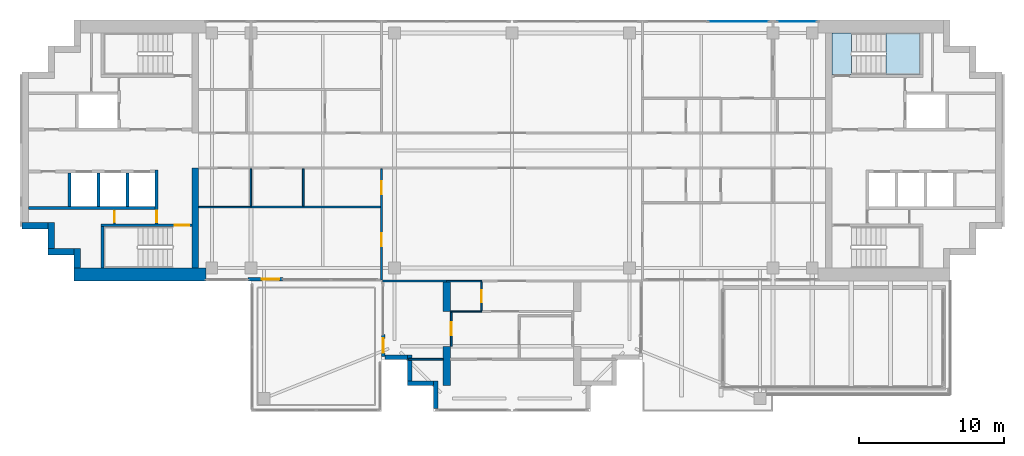
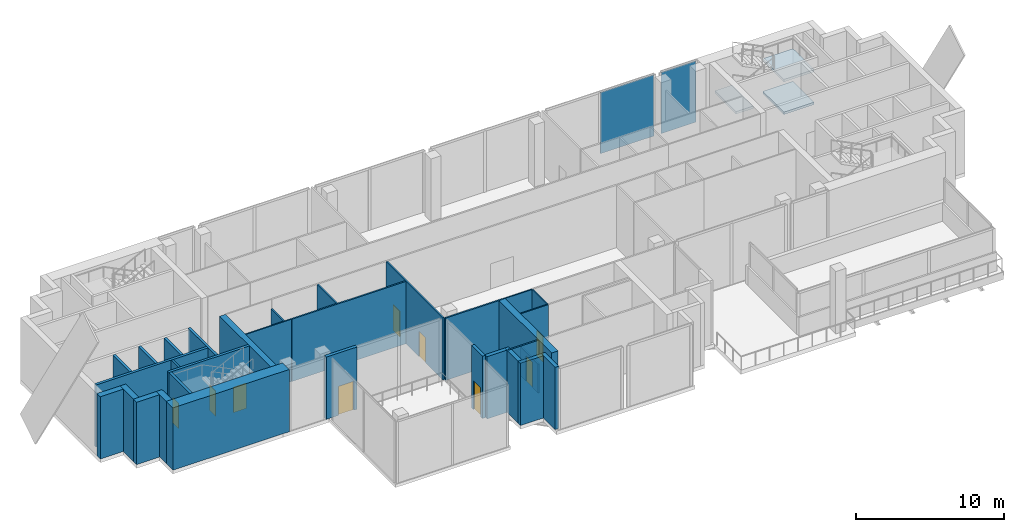
# One storey, part 6 of 14: 32 walls, 9 doors, 3 slabs, 2 plates, 9 openings, 3 elements without a shape of their own.
"""IFC4 building model written with IfcOpenShell, lengths in metres."""

from ifc_helpers import new_model, si_unit, direction, frame, frame_2d, origin, origin_2d, place, context, subcontext, project, spatial, polyline, rectangle, outline, extrude, material, layer, layer_set, material_profile, profile_set, type_object, element, fill, aggregate, save


model = new_model("IFC4")

# Units and contexts
model_context = context("Model", 3, precision=1e-05, world=origin(), true_north=direction((0.0, 1.0)))
body_context = subcontext(model_context, "Body", "Model", "MODEL_VIEW")
ifc_project = project(units=[si_unit("LENGTHUNIT", "METRE"), si_unit("AREAUNIT", "SQUARE_METRE"), si_unit("VOLUMEUNIT", "CUBIC_METRE"), si_unit("PLANEANGLEUNIT", "RADIAN"), si_unit("MASSUNIT", "GRAM", prefix="KILO")], contexts=[model_context])

# Site, building, storey
site_placement = place(None, origin())
site = spatial("IfcSite", under=ifc_project, at=site_placement, CompositionType="ELEMENT")
building_placement = place(site_placement, origin())
building = spatial("IfcBuilding", under=site, at=building_placement, Name="Perihelion Cross Residences", CompositionType="ELEMENT")
storey_placement = place(building_placement, frame((0.0, 0.0, 285.0)))
storey = spatial("IfcBuildingStorey", under=building, at=storey_placement, Name="L73", CompositionType="ELEMENT", Elevation=285.0)

# Curtain wall, plate
ifc_material_1 = material(Name="Bronze anodised aluminium, tinted glazing", Category="aluminium")
curtain_wall_type = type_object("IfcCurtainWallType", Name="CW3", PredefinedType="NOTDEFINED", material=ifc_material_1)
curtain_wall_1_placement = place(storey_placement, origin())
curtain_wall_1 = element("IfcCurtainWall", 1, at=curtain_wall_1_placement, inside=storey, type_object=curtain_wall_type, Name="Curtain wall CW3 L73 east side north bay 1", PredefinedType="NOTDEFINED")
ifc_material_2 = material(Name="Tinted laminated glass", Category="glass")
ifc_layer_1 = layer(ifc_material_2, 0.035888671875)
ifc_layer_set_1 = layer_set([ifc_layer_1], Name="CW3 panel")
plate_type = type_object("IfcPlateType", Name="CW3 panel", PredefinedType="CURTAIN_PANEL", material=ifc_layer_set_1)
plate_1_placement = place(storey_placement, frame((19.64990234375, 8.89990234375, 0.0), z_axis=(0.0, 0.0, 1.0), x_axis=(-1.0, 0.0, 0.0)))
plate_1 = element("IfcPlate", 2, at=plate_1_placement, type_object=plate_type, Name="CW3 panel 1", PredefinedType="CURTAIN_PANEL", context=body_context, shape_type="SweptSolid", body=[
    extrude(rectangle(XDim=2.739990234375, YDim=0.035888671875, at=origin_2d()), origin(), (0.0, 0.0, 1.0), 5.070068359375),
])
aggregate(curtain_wall_1, [plate_1])

curtain_wall_2_placement = place(storey_placement, origin())
curtain_wall_2 = element("IfcCurtainWall", 3, at=curtain_wall_2_placement, inside=storey, type_object=curtain_wall_type, Name="Curtain wall CW3 L73 east side north bay 2", PredefinedType="NOTDEFINED")
plate_2_placement = place(storey_placement, frame((15.6298828125, 8.89990234375, 0.0), z_axis=(0.0, 0.0, 1.0), x_axis=(-1.0, 0.0, 0.0)))
plate_2 = element("IfcPlate", 4, at=plate_2_placement, type_object=plate_type, Name="CW3 panel 1", PredefinedType="CURTAIN_PANEL", context=body_context, shape_type="SweptSolid", body=[
    extrude(rectangle(XDim=4.179931640625, YDim=0.035888671875, at=origin_2d()), origin(), (0.0, 0.0, 1.0), 5.070068359375),
])
aggregate(curtain_wall_2, [plate_2])

# Stair, slabs
ifc_material_3 = material(Name="Concrete C40/50", Category="concrete")
stair_type = type_object("IfcStairType", Name="Exit stair, half-turn", PredefinedType="HALF_TURN_STAIR", material=ifc_material_3)
stair_placement = place(storey_placement, origin())
stair = element("IfcStair", 5, at=stair_placement, inside=storey, type_object=stair_type, Name="L73 East core exit stair 1", PredefinedType="HALF_TURN_STAIR")
ifc_material_4 = material(Name="Concrete C40/50", Category="concrete")
ifc_layer_2 = layer(ifc_material_4, 0.199951171875)
ifc_layer_set_2 = layer_set([ifc_layer_2], Name="Exit stair landing 200")
slab_type = type_object("IfcSlabType", Name="Exit stair landing 200", PredefinedType="LANDING", material=ifc_layer_set_2)
slab_1_placement = place(storey_placement, frame((0.0, 0.0, 1.14990234375)))
slab_1 = element("IfcSlab", 6, at=slab_1_placement, type_object=slab_type, Name="ST-E1 landing 1", PredefinedType="LANDING", context=body_context, shape_type="SweptSolid", body=[
    extrude(outline(polyline([(25.780029296875, 5.25), (28.14990234375, 5.25), (28.14990234375, 8.10009765625), (25.780029296875, 8.10009765625), (25.780029296875, 5.25)])), origin(), (0.0, 0.0, 1.0), 0.2001953125),
])
slab_2_placement = place(storey_placement, frame((0.0, 0.0, 2.5)))
slab_2 = element("IfcSlab", 7, at=slab_2_placement, type_object=slab_type, Name="ST-E1 landing 2", PredefinedType="LANDING", context=body_context, shape_type="SweptSolid", body=[
    extrude(outline(polyline([(22.050048828125, 5.25), (23.39990234375, 5.25), (23.39990234375, 8.10009765625), (22.050048828125, 8.10009765625), (22.050048828125, 5.25)])), origin(), (0.0, 0.0, 1.0), 0.199951171875),
])
slab_3_placement = place(storey_placement, frame((0.0, 0.0, 3.85009765625)))
slab_3 = element("IfcSlab", 8, at=slab_3_placement, type_object=slab_type, Name="ST-E1 landing 3", PredefinedType="LANDING", context=body_context, shape_type="SweptSolid", body=[
    extrude(outline(polyline([(25.780029296875, 5.25), (28.14990234375, 5.25), (28.14990234375, 8.10009765625), (25.780029296875, 8.10009765625), (25.780029296875, 5.25)])), origin(), (0.0, 0.0, 1.0), 0.199951171875),
])
aggregate(stair, [slab_1, slab_2, slab_3])

# Wall, opening, door
ifc_material_5 = material(Name="Concrete C30/37, bronze-clad", Category="concrete")
ifc_layer_3 = layer(ifc_material_5, 0.25)
ifc_layer_set_3 = layer_set([ifc_layer_3], Name="Bronze-clad pier wall 250")
wall_type_1 = type_object("IfcWallType", Name="Bronze-clad pier wall 250", PredefinedType="SOLIDWALL", material=ifc_layer_set_3)
wall_1_placement = place(storey_placement, frame((-18.199951171875, -8.875, 0.0), z_axis=(0.0, 0.0, 1.0), x_axis=(1.0, 0.0, 0.0)))
wall_1 = element("IfcWall", 9, at=wall_1_placement, inside=storey, type_object=wall_type_1, Name="Wall FW1 L73 west side south bay 2 pier", PredefinedType="SOLIDWALL", context=body_context, shape_type="SweptSolid", body=[
    extrude(rectangle(XDim=2.39990234375, YDim=0.25, at=frame_2d((1.199951171875, 0.0))), origin(), (0.0, 0.0, 1.0), 5.14990234375),
])
opening_1_placement = place(wall_1_placement, frame((0.949951171875, 0.0, 0.0)))
opening_1 = element("IfcOpeningElement", 10, at=opening_1_placement, cuts=wall_1, Name="Opening L73.E01", PredefinedType="OPENING", context=body_context, shape_type="SweptSolid", body=[
    extrude(rectangle(XDim=1.199951171875, YDim=2.39990234375, at=frame_2d((0.60009765625, 1.199951171875))), frame((0.0, 0.135009765625, 0.0), z_axis=(0.0, -1.0, 0.0), x_axis=(1.0, 0.0, 0.0)), (0.0, 0.0, 1.0), 0.27001953125),
])
ifc_material_6 = material(Name="Bronze anodised aluminium, glazed", Category="aluminium")
door_type_1 = type_object("IfcDoorType", Name="Balcony door 1200 x 2400", OperationType="NOTDEFINED", PredefinedType="DOOR", material=ifc_material_6)
door_1_placement = place(opening_1_placement, origin())
door_1 = element("IfcDoor", 11, at=door_1_placement, inside=storey, type_object=door_type_1, Name="Door L73.E01 west side south bay 2", OperationType="SINGLE_SWING_RIGHT", OverallHeight=2.39990234375, OverallWidth=1.199951171875, PredefinedType="DOOR", context=body_context, shape_type="SweptSolid", body=[
    extrude(rectangle(XDim=1.199951171875, YDim=2.39990234375, at=frame_2d((0.60009765625, 1.199951171875))), frame((0.0, 0.02490234375, 0.0), z_axis=(0.0, -1.0, 0.0), x_axis=(1.0, 0.0, 0.0)), (0.0, 0.0, 1.0), 0.050048828125),
])
fill(opening_1, door_1)

wall_2_placement = place(storey_placement, frame((-8.875, -12.699951171875, 0.0), z_axis=(0.0, 0.0, 1.0), x_axis=(0.0, -1.0, 0.0)))
wall_2 = element("IfcWall", 12, at=wall_2_placement, inside=storey, type_object=wall_type_1, Name="Wall FW1 L73 south side west bay 1 pier", PredefinedType="SOLIDWALL", context=body_context, shape_type="SweptSolid", body=[
    extrude(rectangle(XDim=1.5, YDim=0.25, at=frame_2d((0.75, 0.0))), origin(), (0.0, 0.0, 1.0), 5.14990234375),
])
opening_2_placement = place(wall_2_placement, frame((0.25, 0.0, 0.0)))
opening_2 = element("IfcOpeningElement", 13, at=opening_2_placement, cuts=wall_2, Name="Opening L73.E02", PredefinedType="OPENING", context=body_context, shape_type="SweptSolid", body=[
    extrude(rectangle(XDim=1.0, YDim=2.39990234375, at=frame_2d((0.5, 1.199951171875))), frame((0.0, 0.135009765625, 0.0), z_axis=(0.0, -1.0, 0.0), x_axis=(1.0, 0.0, 0.0)), (0.0, 0.0, 1.0), 0.27001953125),
])
ifc_material_7 = material(Name="Bronze anodised aluminium, glazed", Category="aluminium")
door_type_2 = type_object("IfcDoorType", Name="Balcony door 1000 x 2400", OperationType="NOTDEFINED", PredefinedType="DOOR", material=ifc_material_7)
door_2_placement = place(opening_2_placement, origin())
door_2 = element("IfcDoor", 14, at=door_2_placement, inside=storey, type_object=door_type_2, Name="Door L73.E02 south side west bay 1", OperationType="SINGLE_SWING_LEFT", OverallHeight=2.39990234375, OverallWidth=1.0, PredefinedType="DOOR", context=body_context, shape_type="SweptSolid", body=[
    extrude(rectangle(XDim=1.0, YDim=2.39990234375, at=frame_2d((0.5, 1.199951171875))), frame((0.0, 0.02490234375, 0.0), z_axis=(0.0, -1.0, 0.0), x_axis=(1.0, 0.0, 0.0)), (0.0, 0.0, 1.0), 0.050048828125),
])
fill(opening_2, door_2)

# Walls
ifc_material_8 = material(Name="Concrete C30/37, bronze-clad", Category="concrete")
ifc_layer_4 = layer(ifc_material_8, 0.300048828125)
ifc_layer_set_4 = layer_set([ifc_layer_4], Name="Bronze-clad serration wall 300")
wall_type_2 = type_object("IfcWallType", Name="Bronze-clad serration wall 300", PredefinedType="SOLIDWALL", material=ifc_layer_set_4)
wall_3_placement = place(storey_placement, frame((-8.75, -14.25, 0.0), z_axis=(0.0, 0.0, 1.0), x_axis=(1.0, 0.0, 0.0)))
element("IfcWall", 15, at=wall_3_placement, inside=storey, type_object=wall_type_2, Name="Wall SR1 L73 south corner south-west 1", PredefinedType="SOLIDWALL", context=body_context, shape_type="SweptSolid", body=[
    extrude(rectangle(XDim=1.550048828125, YDim=0.300048828125, at=frame_2d((0.77490234375, 0.0))), origin(), (0.0, 0.0, 1.0), 5.14990234375),
])
wall_4_placement = place(storey_placement, frame((-7.050048828125, -14.10009765625, 0.0), z_axis=(0.0, 0.0, 1.0), x_axis=(0.0, -1.0, 0.0)))
element("IfcWall", 16, at=wall_4_placement, inside=storey, type_object=wall_type_2, Name="Wall SR1 L73 south corner south-west 2", PredefinedType="SOLIDWALL", context=body_context, shape_type="SweptSolid", body=[
    extrude(rectangle(XDim=1.7998046875, YDim=0.300048828125, at=frame_2d((0.89990234375, 0.0))), origin(), (0.0, 0.0, 1.0), 5.14990234375),
])
wall_5_placement = place(storey_placement, frame((-7.199951171875, -16.050048828125, 0.0), z_axis=(0.0, 0.0, 1.0), x_axis=(1.0, 0.0, 0.0)))
element("IfcWall", 17, at=wall_5_placement, inside=storey, type_object=wall_type_2, Name="Wall SR1 L73 south corner south-west 3", PredefinedType="SOLIDWALL", context=body_context, shape_type="SweptSolid", body=[
    extrude(rectangle(XDim=1.800048828125, YDim=0.300048828125, at=frame_2d((0.89990234375, 0.0))), origin(), (0.0, 0.0, 1.0), 5.14990234375),
])
wall_6_placement = place(storey_placement, frame((-5.25, -15.89990234375, 0.0), z_axis=(0.0, 0.0, 1.0), x_axis=(0.0, -1.0, 0.0)))
element("IfcWall", 18, at=wall_6_placement, inside=storey, type_object=wall_type_2, Name="Wall SR1 L73 south corner south-west 4", PredefinedType="SOLIDWALL", context=body_context, shape_type="SweptSolid", body=[
    extrude(rectangle(XDim=1.89013671875, YDim=0.300048828125, at=frame_2d((0.945068359375, 0.0))), origin(), (0.0, 0.0, 1.0), 5.14990234375),
])
ifc_material_9 = material(Name="Concrete C60/75", Category="concrete")
ifc_layer_5 = layer(ifc_material_9, 0.449951171875)
ifc_layer_set_5 = layer_set([ifc_layer_5], Name="Core wall, inner 450")
wall_type_3 = type_object("IfcWallType", Name="Core wall, inner 450", PredefinedType="SHEAR", material=ifc_layer_set_5)
wall_7_placement = place(storey_placement, frame((-21.824951171875, -8.10009765625, 0.0), z_axis=(0.0, 0.0, 1.0), x_axis=(0.0, 1.0, 0.0)))
element("IfcWall", 19, at=wall_7_placement, inside=storey, type_object=wall_type_3, Name="West core core wall, inner", PredefinedType="SHEAR", context=body_context, shape_type="SweptSolid", body=[
    extrude(rectangle(XDim=6.900146484375, YDim=0.449951171875, at=frame_2d((3.4501953125, 0.0))), origin(), (0.0, 0.0, 1.0), 5.14990234375),
])
ifc_material_10 = material(Name="Concrete C60/75", Category="concrete")
ifc_layer_6 = layer(ifc_material_10, 0.449951171875)
ifc_layer_set_6 = layer_set([ifc_layer_6], Name="Core wall, outer 450")
wall_type_4 = type_object("IfcWallType", Name="Core wall, outer 450", PredefinedType="SHEAR", material=ifc_layer_set_6)
wall_8_placement = place(storey_placement, frame((-29.97509765625, -8.10009765625, 0.0), z_axis=(0.0, 0.0, 1.0), x_axis=(0.0, 1.0, 0.0)))
element("IfcWall", 20, at=wall_8_placement, inside=storey, type_object=wall_type_4, Name="West core core wall, outer", PredefinedType="SHEAR", context=body_context, shape_type="SweptSolid", body=[
    extrude(rectangle(XDim=1.35009765625, YDim=0.449951171875, at=frame_2d((0.675048828125, 0.0))), origin(), (0.0, 0.0, 1.0), 5.14990234375),
])
for number, where, z_axis, x_axis, name in (
    (21, (-32.0, -6.97509765625, 0.0), (0.0, 0.0, 1.0), (1.0, 0.0, 0.0), "West core core wall, outer"),
    (22, (-31.77490234375, -6.75, 0.0), (0.0, 0.0, 1.0), (0.0, 1.0, 0.0), "West core core wall, outer"),
    (23, (-33.800048828125, -5.175048828125, 0.0), (0.0, 0.0, 1.0), (1.0, 0.0, 0.0), "West core core wall, outer"),
):
    element("IfcWall", number, at=place(storey_placement, frame(where, z_axis=z_axis, x_axis=x_axis)), inside=storey, type_object=wall_type_4, Name=name, PredefinedType="SHEAR", context=body_context, shape_type="SweptSolid", body=[
        extrude(rectangle(XDim=1.800048828125, YDim=0.449951171875, at=frame_2d((0.89990234375, 0.0))), origin(), (0.0, 0.0, 1.0), 5.14990234375),
    ])
ifc_material_11 = material(Name="Concrete C60/75", Category="concrete")
ifc_layer_7 = layer(ifc_material_11, 0.89990234375)
ifc_layer_set_7 = layer_set([ifc_layer_7], Name="Core wall, outer 900")
wall_type_5 = type_object("IfcWallType", Name="Core wall, outer 900", PredefinedType="SHEAR", material=ifc_layer_set_7)
wall_9_placement = place(storey_placement, frame((-30.199951171875, -8.550048828125, 0.0), z_axis=(0.0, 0.0, 1.0), x_axis=(1.0, 0.0, 0.0)))
element("IfcWall", 24, at=wall_9_placement, inside=storey, type_object=wall_type_5, Name="West core core wall, outer", PredefinedType="SHEAR", context=body_context, shape_type="SweptSolid", body=[
    extrude(rectangle(XDim=9.099853515625, YDim=0.89990234375, at=frame_2d((4.5498046875, 0.0))), origin(), (0.0, 0.0, 1.0), 5.14990234375),
])

# Wall, opening, door
ifc_material_12 = material(Name="Plasterboard partition")
ifc_layer_8 = layer(ifc_material_12, 0.1201171875)
ifc_layer_set_8 = layer_set([ifc_layer_8], Name="Infill panel 120")
wall_type_6 = type_object("IfcWallType", Name="Infill panel 120", PredefinedType="PARTITIONING", material=ifc_layer_set_8)
wall_10_placement = place(storey_placement, frame((-4.18994140625, -11.10009765625, 0.0), z_axis=(0.0, 0.0, 1.0), x_axis=(0.0, -1.0, 0.0)))
wall_10 = element("IfcWall", 25, at=wall_10_placement, inside=storey, type_object=wall_type_6, Name="Partition L73 WI02", PredefinedType="PARTITIONING", context=body_context, shape_type="SweptSolid", body=[
    extrude(rectangle(XDim=2.39990234375, YDim=0.1201171875, at=frame_2d((1.199951171875, 0.0))), origin(), (0.0, 0.0, 1.0), 2.39990234375),
])
opening_3_placement = place(wall_10_placement, frame((0.75, 0.0, 0.0)))
opening_3 = element("IfcOpeningElement", 26, at=opening_3_placement, cuts=wall_10, Name="Opening L73.A29", PredefinedType="OPENING", context=body_context, shape_type="SweptSolid", body=[
    extrude(rectangle(XDim=0.89990234375, YDim=2.10009765625, at=frame_2d((0.449951171875, 1.050048828125))), frame((0.0, 0.070068359375, 0.0), z_axis=(0.0, -1.0, 0.0), x_axis=(1.0, 0.0, 0.0)), (0.0, 0.0, 1.0), 0.14013671875),
])
ifc_material_13 = material(Name="Timber door leaf", Category="wood")
door_type_3 = type_object("IfcDoorType", Name="Interior room door 900 x 2100", OperationType="SINGLE_SWING_LEFT", PredefinedType="DOOR", material=ifc_material_13)
door_3_placement = place(opening_3_placement, origin())
door_3 = element("IfcDoor", 27, at=door_3_placement, inside=storey, type_object=door_type_3, Name="Door L73.A29", OperationType="SINGLE_SWING_LEFT", OverallHeight=2.10009765625, OverallWidth=0.89990234375, PredefinedType="DOOR", context=body_context, shape_type="SweptSolid", body=[
    extrude(rectangle(XDim=0.89990234375, YDim=2.10009765625, at=frame_2d((0.449951171875, 1.050048828125))), frame((0.0, 0.02490234375, 0.0), z_axis=(0.0, -1.0, 0.0), x_axis=(1.0, 0.0, 0.0)), (0.0, 0.0, 1.0), 0.050048828125),
])
fill(opening_3, door_3)

ifc_material_14 = material(Name="Concrete C50/60", Category="concrete")
ifc_layer_9 = layer(ifc_material_14, 0.199951171875)
ifc_layer_set_9 = layer_set([ifc_layer_9], Name="Lobby wall 200")
wall_type_7 = type_object("IfcWallType", Name="Lobby wall 200", PredefinedType="SOLIDWALL", material=ifc_layer_set_9)
wall_11_placement = place(storey_placement, frame((-24.5, -5.050048828125, 0.0), z_axis=(0.0, 0.0, 1.0), x_axis=(0.0, 1.0, 0.0)))
wall_11 = element("IfcWall", 28, at=wall_11_placement, inside=storey, type_object=wall_type_7, Name="West core lobby wall", PredefinedType="SOLIDWALL", context=body_context, shape_type="SweptSolid", body=[
    extrude(rectangle(XDim=3.699951171875, YDim=0.199951171875, at=frame_2d((1.85009765625, 0.0))), origin(), (0.0, 0.0, 1.0), 5.14990234375),
])
opening_4_placement = place(wall_11_placement, frame((0.10009765625, 0.0, 0.0)))
opening_4 = element("IfcOpeningElement", 29, at=opening_4_placement, cuts=wall_11, Name="Opening L73.C22", PredefinedType="OPENING", context=body_context, shape_type="SweptSolid", body=[
    extrude(rectangle(XDim=0.800048828125, YDim=2.10009765625, at=frame_2d((0.39990234375, 1.050048828125))), frame((0.0, 0.10986328125, 0.0), z_axis=(0.0, -1.0, 0.0), x_axis=(1.0, 0.0, 0.0)), (0.0, 0.0, 1.0), 0.219970703125),
])
ifc_material_15 = material(Name="Steel, powder coated", Category="steel")
door_type_4 = type_object("IfcDoorType", Name="Riser door 800", OperationType="SINGLE_SWING_LEFT", PredefinedType="DOOR", material=ifc_material_15)
door_4_placement = place(opening_4_placement, origin())
door_4 = element("IfcDoor", 30, at=door_4_placement, inside=storey, type_object=door_type_4, Name="West core riser door", OperationType="SINGLE_SWING_LEFT", OverallHeight=2.10009765625, OverallWidth=0.800048828125, PredefinedType="DOOR", context=body_context, shape_type="SweptSolid", body=[
    extrude(rectangle(XDim=0.800048828125, YDim=2.10009765625, at=frame_2d((0.39990234375, 1.050048828125))), frame((0.0, 0.02490234375, 0.0), z_axis=(0.0, -1.0, 0.0), x_axis=(1.0, 0.0, 0.0)), (0.0, 0.0, 1.0), 0.050048828125),
])
fill(opening_4, door_4)

# Wall, openings, doors
ifc_material_16 = material(Name="Plasterboard partition")
ifc_layer_10 = layer(ifc_material_16, 0.1201171875)
ifc_layer_set_10 = layer_set([ifc_layer_10], Name="Partition wall 120")
wall_type_8 = type_object("IfcWallType", Name="Partition wall 120", PredefinedType="PARTITIONING", material=ifc_layer_set_10)
wall_12_placement = place(storey_placement, frame((-9.0, -8.919921875, 0.0), z_axis=(0.0, 0.0, 1.0), x_axis=(0.0, 1.0, 0.0)))
wall_12 = element("IfcWall", 31, at=wall_12_placement, inside=storey, type_object=wall_type_8, Name="Partition L73 W010", PredefinedType="PARTITIONING", context=body_context, shape_type="SweptSolid", body=[
    extrude(rectangle(XDim=7.659912109375, YDim=0.1201171875, at=frame_2d((3.830078125, 0.0))), origin(), (0.0, 0.0, 1.0), 5.14990234375),
])
opening_5_placement = place(wall_12_placement, frame((2.320068359375, 0.0, 0.0)))
opening_5 = element("IfcOpeningElement", 32, at=opening_5_placement, cuts=wall_12, Name="Opening L73.A11", PredefinedType="OPENING", context=body_context, shape_type="SweptSolid", body=[
    extrude(rectangle(XDim=0.89990234375, YDim=2.10009765625, at=frame_2d((0.449951171875, 1.050048828125))), frame((0.0, 0.070068359375, 0.0), z_axis=(0.0, -1.0, 0.0), x_axis=(1.0, 0.0, 0.0)), (0.0, 0.0, 1.0), 0.14013671875),
])
opening_6_placement = place(wall_12_placement, frame((5.889892578125, 0.0, 0.0)))
opening_6 = element("IfcOpeningElement", 33, at=opening_6_placement, cuts=wall_12, Name="Opening L73.A21", PredefinedType="OPENING", context=body_context, shape_type="SweptSolid", body=[
    extrude(rectangle(XDim=0.89990234375, YDim=2.10009765625, at=frame_2d((0.449951171875, 1.050048828125))), frame((0.0, 0.070068359375, 0.0), z_axis=(0.0, -1.0, 0.0), x_axis=(1.0, 0.0, 0.0)), (0.0, 0.0, 1.0), 0.14013671875),
])
door_5_placement = place(opening_5_placement, origin())
door_5 = element("IfcDoor", 34, at=door_5_placement, inside=storey, type_object=door_type_3, Name="Door L73.A11", OperationType="SINGLE_SWING_RIGHT", OverallHeight=2.10009765625, OverallWidth=0.89990234375, PredefinedType="DOOR", context=body_context, shape_type="SweptSolid", body=[
    extrude(rectangle(XDim=0.89990234375, YDim=2.10009765625, at=frame_2d((0.449951171875, 1.050048828125))), frame((0.0, 0.02490234375, 0.0), z_axis=(0.0, -1.0, 0.0), x_axis=(1.0, 0.0, 0.0)), (0.0, 0.0, 1.0), 0.050048828125),
])
fill(opening_5, door_5)
door_6_placement = place(opening_6_placement, origin())
door_6 = element("IfcDoor", 35, at=door_6_placement, inside=storey, type_object=door_type_3, Name="Door L73.A21", OperationType="SINGLE_SWING_RIGHT", OverallHeight=2.10009765625, OverallWidth=0.89990234375, PredefinedType="DOOR", context=body_context, shape_type="SweptSolid", body=[
    extrude(rectangle(XDim=0.89990234375, YDim=2.10009765625, at=frame_2d((0.449951171875, 1.050048828125))), frame((0.0, 0.02490234375, 0.0), z_axis=(0.0, -1.0, 0.0), x_axis=(1.0, 0.0, 0.0)), (0.0, 0.0, 1.0), 0.050048828125),
])
fill(opening_6, door_6)

# Walls
wall_13_placement = place(storey_placement, frame((-4.5, -9.0, 0.0), z_axis=(0.0, 0.0, 1.0), x_axis=(-1.0, 0.0, 0.0)))
element("IfcWall", 36, at=wall_13_placement, inside=storey, type_object=wall_type_8, Name="Partition L73 W013", PredefinedType="PARTITIONING", context=body_context, shape_type="SweptSolid", body=[
    extrude(rectangle(XDim=4.419921875, YDim=0.1201171875, at=frame_2d((2.2099609375, 0.0))), origin(), (0.0, 0.0, 1.0), 5.14990234375),
])
wall_14_placement = place(storey_placement, frame((-18.0, -3.89990234375, 0.0), z_axis=(0.0, 0.0, 1.0), x_axis=(1.0, 0.0, 0.0)))
element("IfcWall", 37, at=wall_14_placement, inside=storey, type_object=wall_type_8, Name="Partition L73 W030", PredefinedType="PARTITIONING", context=body_context, shape_type="SweptSolid", body=[
    extrude(rectangle(XDim=9.06005859375, YDim=0.1201171875, at=frame_2d((4.530029296875, 0.0))), origin(), (0.0, 0.0, 1.0), 5.14990234375),
])
wall_15_placement = place(storey_placement, frame((-14.39990234375, -3.840087890625, 0.0), z_axis=(0.0, 0.0, 1.0), x_axis=(0.0, 1.0, 0.0)))
element("IfcWall", 38, at=wall_15_placement, inside=storey, type_object=wall_type_8, Name="Partition L73 W032", PredefinedType="PARTITIONING", context=body_context, shape_type="SweptSolid", body=[
    extrude(rectangle(XDim=2.580078125, YDim=0.1201171875, at=frame_2d((1.2900390625, 0.0))), origin(), (0.0, 0.0, 1.0), 5.14990234375),
])
wall_16_placement = place(storey_placement, frame((-4.75, -14.39990234375, 0.0), z_axis=(0.0, 0.0, 1.0), x_axis=(-1.0, 0.0, 0.0)))
element("IfcWall", 39, at=wall_16_placement, inside=storey, type_object=wall_type_8, Name="Partition L73 W041", PredefinedType="PARTITIONING", context=body_context, shape_type="SweptSolid", body=[
    extrude(rectangle(XDim=2.3701171875, YDim=0.1201171875, at=frame_2d((1.18505859375, 0.0))), origin(), (0.0, 0.0, 1.0), 5.14990234375),
])

# Wall, opening, door
ifc_material_17 = material(Name="Fire-rated board on steel stud", Category="steel")
ifc_layer_11 = layer(ifc_material_17, 0.14990234375)
ifc_layer_set_11 = layer_set([ifc_layer_11], Name="Riser wall 150")
wall_type_9 = type_object("IfcWallType", Name="Riser wall 150", PredefinedType="PARTITIONING", material=ifc_layer_set_11)
wall_17_placement = place(storey_placement, frame((-27.39990234375, -5.050048828125, 0.0), z_axis=(0.0, 0.0, 1.0), x_axis=(0.0, 1.0, 0.0)))
wall_17 = element("IfcWall", 40, at=wall_17_placement, inside=storey, type_object=wall_type_9, Name="West core riser wall", PredefinedType="PARTITIONING", context=body_context, shape_type="SweptSolid", body=[
    extrude(rectangle(XDim=1.0, YDim=0.14990234375, at=frame_2d((0.5, 0.0))), origin(), (0.0, 0.0, 1.0), 5.14990234375),
])
opening_7_placement = place(wall_17_placement, frame((0.10009765625, 0.0, 0.0)))
opening_7 = element("IfcOpeningElement", 41, at=opening_7_placement, cuts=wall_17, Name="Opening L73.C25", PredefinedType="OPENING", context=body_context, shape_type="SweptSolid", body=[
    extrude(rectangle(XDim=0.800048828125, YDim=2.10009765625, at=frame_2d((0.39990234375, 1.050048828125))), frame((0.0, 0.0849609375, 0.0), z_axis=(0.0, -1.0, 0.0), x_axis=(1.0, 0.0, 0.0)), (0.0, 0.0, 1.0), 0.169921875),
])
door_7_placement = place(opening_7_placement, origin())
door_7 = element("IfcDoor", 42, at=door_7_placement, inside=storey, type_object=door_type_4, Name="West core riser door", OperationType="SINGLE_SWING_LEFT", OverallHeight=2.10009765625, OverallWidth=0.800048828125, PredefinedType="DOOR", context=body_context, shape_type="SweptSolid", body=[
    extrude(rectangle(XDim=0.800048828125, YDim=2.10009765625, at=frame_2d((0.39990234375, 1.050048828125))), frame((0.0, 0.02490234375, 0.0), z_axis=(0.0, -1.0, 0.0), x_axis=(1.0, 0.0, 0.0)), (0.0, 0.0, 1.0), 0.050048828125),
])
fill(opening_7, door_7)

# Walls
ifc_material_18 = material(Name="Concrete C50/60", Category="concrete")
ifc_layer_12 = layer(ifc_material_18, 0.199951171875)
ifc_layer_set_12 = layer_set([ifc_layer_12], Name="Shaft wall 200")
wall_type_10 = type_object("IfcWallType", Name="Shaft wall 200", PredefinedType="SOLIDWALL", material=ifc_layer_set_12)
wall_18_placement = place(storey_placement, frame((-33.35009765625, -3.949951171875, 0.0), z_axis=(0.0, 0.0, 1.0), x_axis=(1.0, 0.0, 0.0)))
element("IfcWall", 43, at=wall_18_placement, inside=storey, type_object=wall_type_10, Name="West core shaft wall", PredefinedType="SOLIDWALL", context=body_context, shape_type="SweptSolid", body=[
    extrude(rectangle(XDim=8.75, YDim=0.199951171875, at=frame_2d((4.375, 0.0))), origin(), (0.0, 0.0, 1.0), 5.14990234375),
])
for number, where, z_axis, x_axis, name in (
    (44, (-26.5, -3.85009765625, 0.0), (0.0, 0.0, 1.0), (0.0, 1.0, 0.0), "West core shaft wall"),
    (45, (-28.5, -3.85009765625, 0.0), (0.0, 0.0, 1.0), (0.0, 1.0, 0.0), "West core shaft wall"),
    (46, (-30.5, -3.85009765625, 0.0), (0.0, 0.0, 1.0), (0.0, 1.0, 0.0), "West core shaft wall"),
):
    element("IfcWall", number, at=place(storey_placement, frame(where, z_axis=z_axis, x_axis=x_axis)), inside=storey, type_object=wall_type_10, Name=name, PredefinedType="SOLIDWALL", context=body_context, shape_type="SweptSolid", body=[
        extrude(rectangle(XDim=2.300048828125, YDim=0.199951171875, at=frame_2d((1.14990234375, 0.0))), origin(), (0.0, 0.0, 1.0), 5.14990234375),
    ])

# Wall, opening, door
ifc_material_19 = material(Name="Concrete C50/60", Category="concrete")
ifc_layer_13 = layer(ifc_material_19, 0.199951171875)
ifc_layer_set_13 = layer_set([ifc_layer_13], Name="Stair wall 200")
wall_type_11 = type_object("IfcWallType", Name="Stair wall 200", PredefinedType="SOLIDWALL", material=ifc_layer_set_13)
wall_19_placement = place(storey_placement, frame((-28.35009765625, -5.14990234375, 0.0), z_axis=(0.0, 0.0, 1.0), x_axis=(1.0, 0.0, 0.0)))
wall_19 = element("IfcWall", 47, at=wall_19_placement, inside=storey, type_object=wall_type_11, Name="West core stair wall", PredefinedType="SOLIDWALL", context=body_context, shape_type="SweptSolid", body=[
    extrude(rectangle(XDim=6.300048828125, YDim=0.199951171875, at=frame_2d((3.14990234375, 0.0))), origin(), (0.0, 0.0, 1.0), 5.14990234375),
])
opening_8_placement = place(wall_19_placement, frame((5.10009765625, 0.0, 0.0)))
opening_8 = element("IfcOpeningElement", 48, at=opening_8_placement, cuts=wall_19, Name="Opening L73.C19", PredefinedType="OPENING", context=body_context, shape_type="SweptSolid", body=[
    extrude(rectangle(XDim=1.0, YDim=2.10009765625, at=frame_2d((0.5, 1.050048828125))), frame((0.0, 0.10986328125, 0.0), z_axis=(0.0, -1.0, 0.0), x_axis=(1.0, 0.0, 0.0)), (0.0, 0.0, 1.0), 0.219970703125),
])
ifc_material_20 = material(Name="Steel, powder coated", Category="steel")
door_type_5 = type_object("IfcDoorType", Name="Stair door 1000", OperationType="SINGLE_SWING_LEFT", PredefinedType="DOOR", material=ifc_material_20)
door_8_placement = place(opening_8_placement, origin())
door_8 = element("IfcDoor", 49, at=door_8_placement, inside=storey, type_object=door_type_5, Name="West core stair door", OperationType="SINGLE_SWING_LEFT", OverallHeight=2.10009765625, OverallWidth=1.0, PredefinedType="DOOR", context=body_context, shape_type="SweptSolid", body=[
    extrude(rectangle(XDim=1.0, YDim=2.10009765625, at=frame_2d((0.5, 1.050048828125))), frame((0.0, 0.02490234375, 0.0), z_axis=(0.0, -1.0, 0.0), x_axis=(1.0, 0.0, 0.0)), (0.0, 0.0, 1.0), 0.050048828125),
])
fill(opening_8, door_8)

# Walls
wall_20_placement = place(storey_placement, frame((-28.25, -8.10009765625, 0.0), z_axis=(0.0, 0.0, 1.0), x_axis=(0.0, 1.0, 0.0)))
element("IfcWall", 50, at=wall_20_placement, inside=storey, type_object=wall_type_11, Name="West core stair wall", PredefinedType="SOLIDWALL", context=body_context, shape_type="SweptSolid", body=[
    extrude(rectangle(XDim=2.85009765625, YDim=0.199951171875, at=frame_2d((1.425048828125, 0.0))), origin(), (0.0, 0.0, 1.0), 5.14990234375),
])
ifc_material_21 = material(Name="Concrete C50/60", Category="concrete")
ifc_material_profile = material_profile(ifc_material_21, outline(polyline([(0.0, 0.0), (2.699951171875, 0.0), (2.699951171875, 2.699951171875), (5.10009765625, 2.699951171875), (5.10009765625, 0.0), (7.199951171875, 0.0), (7.199951171875, 5.449951171875), (0.0, 5.449951171875), (0.0, 0.0)])), Name="Tip spine wall")
ifc_profile_set = profile_set([ifc_material_profile], Name="Concrete C50/60")
wall_type_12 = type_object("IfcWallType", Name="Tip spine wall 500 with 1 door openings 7200 long 5450 high concrete C50/60", PredefinedType="SHEAR", material=ifc_profile_set)
wall_21_placement = place(storey_placement, frame((-4.75, -16.199951171875, -0.300048828125), z_axis=(1.0, 0.0, 0.0), x_axis=(0.0, 1.0, 0.0)))
element("IfcWall", 51, at=wall_21_placement, inside=storey, type_object=wall_type_12, Name="Shear wall SW47 L73 south west", PredefinedType="SHEAR", context=body_context, shape_type="SweptSolid", body=[
    extrude(outline(polyline([(0.0, 0.0), (2.699951171875, 0.0), (2.699951171875, 2.699951171875), (5.10009765625, 2.699951171875), (5.10009765625, 0.0), (7.199951171875, 0.0), (7.199951171875, 5.449951171875), (0.0, 5.449951171875), (0.0, 0.0)])), origin(), (0.0, 0.0, 1.0), 0.5),
])
ifc_material_22 = material(Name="Plasterboard partition")
ifc_layer_14 = layer(ifc_material_22, 0.10009765625)
ifc_layer_set_14 = layer_set([ifc_layer_14], Name="Wet room wall 100")
wall_type_13 = type_object("IfcWallType", Name="Wet room wall 100", PredefinedType="PARTITIONING", material=ifc_layer_set_14)
wall_22_placement = place(storey_placement, frame((-2.10009765625, -9.0, 0.0), z_axis=(0.0, 0.0, 1.0), x_axis=(-1.0, 0.0, 0.0)))
element("IfcWall", 52, at=wall_22_placement, inside=storey, type_object=wall_type_13, Name="Partition L73 W012", PredefinedType="PARTITIONING", context=body_context, shape_type="SweptSolid", body=[
    extrude(rectangle(XDim=2.39990234375, YDim=0.10009765625, at=frame_2d((1.199951171875, 0.0))), origin(), (0.0, 0.0, 1.0), 5.14990234375),
])
wall_23_placement = place(storey_placement, frame((-21.60009765625, -3.89990234375, 0.0), z_axis=(0.0, 0.0, 1.0), x_axis=(1.0, 0.0, 0.0)))
element("IfcWall", 53, at=wall_23_placement, inside=storey, type_object=wall_type_13, Name="Partition L73 W031", PredefinedType="PARTITIONING", context=body_context, shape_type="SweptSolid", body=[
    extrude(rectangle(XDim=3.60009765625, YDim=0.10009765625, at=frame_2d((1.800048828125, 0.0))), origin(), (0.0, 0.0, 1.0), 5.14990234375),
])
wall_24_placement = place(storey_placement, frame((-18.0, -3.840087890625, 0.0), z_axis=(0.0, 0.0, 1.0), x_axis=(0.0, 1.0, 0.0)))
element("IfcWall", 54, at=wall_24_placement, inside=storey, type_object=wall_type_13, Name="Partition L73 W033", PredefinedType="PARTITIONING", context=body_context, shape_type="SweptSolid", body=[
    extrude(rectangle(XDim=2.580078125, YDim=0.10009765625, at=frame_2d((1.2900390625, 0.0))), origin(), (0.0, 0.0, 1.0), 4.39599609375),
])

# Wall, opening, door
wall_25_placement = place(storey_placement, frame((-2.10009765625, -11.0400390625, 0.0), z_axis=(0.0, 0.0, 1.0), x_axis=(0.0, 1.0, 0.0)))
wall_25 = element("IfcWall", 55, at=wall_25_placement, inside=storey, type_object=wall_type_13, Name="Partition L73 W034", PredefinedType="PARTITIONING", context=body_context, shape_type="SweptSolid", body=[
    extrude(rectangle(XDim=1.97998046875, YDim=0.10009765625, at=frame_2d((0.989990234375, 0.0))), origin(), (0.0, 0.0, 1.0), 5.14990234375),
])
opening_9_placement = place(wall_25_placement, frame((0.56494140625, 0.0, 0.0)))
opening_9 = element("IfcOpeningElement", 56, at=opening_9_placement, cuts=wall_25, Name="Opening L73.A24", PredefinedType="OPENING", context=body_context, shape_type="SweptSolid", body=[
    extrude(rectangle(XDim=0.85009765625, YDim=2.10009765625, at=frame_2d((0.425048828125, 1.050048828125))), frame((0.0, 0.06005859375, 0.0), z_axis=(0.0, -1.0, 0.0), x_axis=(1.0, 0.0, 0.0)), (0.0, 0.0, 1.0), 0.1201171875),
])
ifc_material_23 = material(Name="Timber door leaf", Category="wood")
door_type_6 = type_object("IfcDoorType", Name="Interior bathroom door 850 x 2100", OperationType="SINGLE_SWING_LEFT", PredefinedType="DOOR", material=ifc_material_23)
door_9_placement = place(opening_9_placement, origin())
door_9 = element("IfcDoor", 57, at=door_9_placement, inside=storey, type_object=door_type_6, Name="Door L73.A24", OperationType="SINGLE_SWING_RIGHT", OverallHeight=2.10009765625, OverallWidth=0.85009765625, PredefinedType="DOOR", context=body_context, shape_type="SweptSolid", body=[
    extrude(rectangle(XDim=0.85009765625, YDim=2.10009765625, at=frame_2d((0.425048828125, 1.050048828125))), frame((0.0, 0.02490234375, 0.0), z_axis=(0.0, -1.0, 0.0), x_axis=(1.0, 0.0, 0.0)), (0.0, 0.0, 1.0), 0.050048828125),
])
fill(opening_9, door_9)

# Wall
wall_26_placement = place(storey_placement, frame((-2.10009765625, -11.10009765625, 0.0), z_axis=(0.0, 0.0, 1.0), x_axis=(-1.0, 0.0, 0.0)))
element("IfcWall", 58, at=wall_26_placement, inside=storey, type_object=wall_type_13, Name="Partition L73 W036", PredefinedType="PARTITIONING", context=body_context, shape_type="SweptSolid", body=[
    extrude(rectangle(XDim=2.14990234375, YDim=0.10009765625, at=frame_2d((1.074951171875, 0.0))), origin(), (0.0, 0.0, 1.0), 5.14990234375),
])

save(model, "model.ifc")
